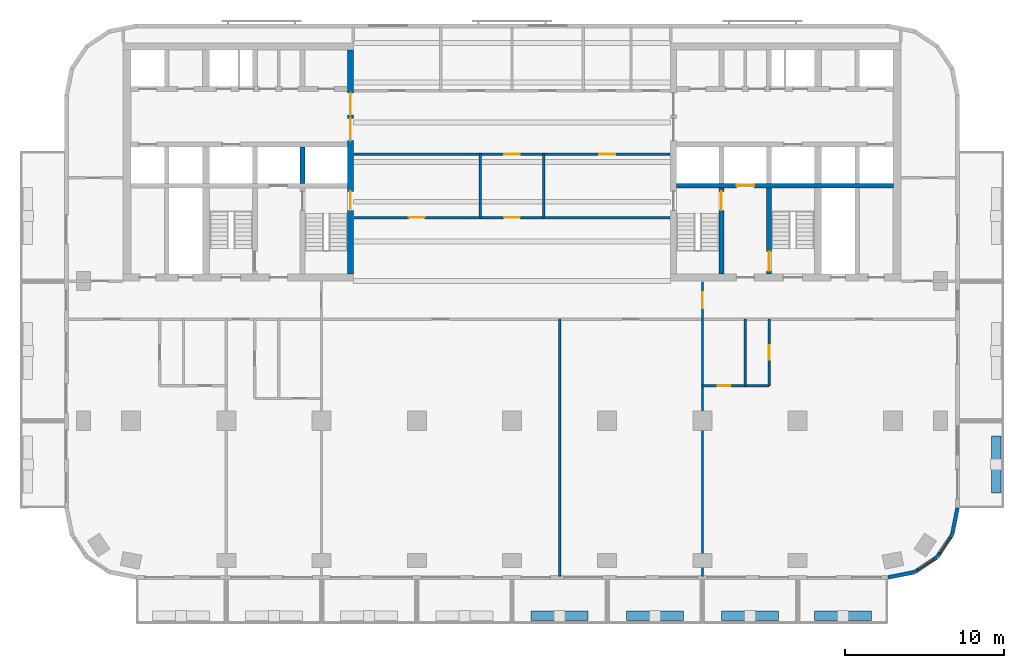
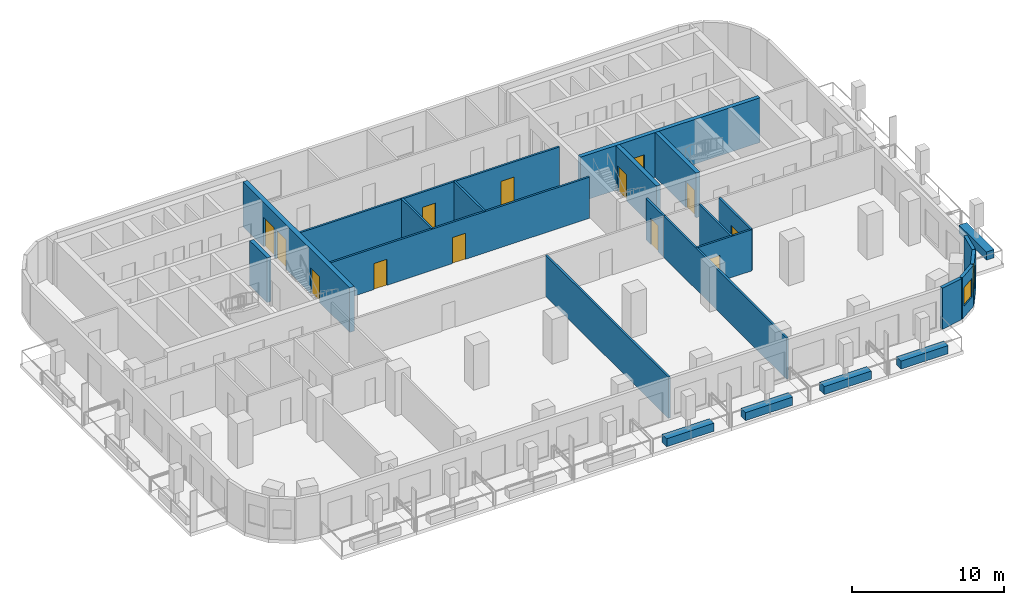
# One storey, part 4 of 11: 24 walls, 13 doors, 2 windows, 15 openings.
"""IFC4 building model written with IfcOpenShell, lengths in metres."""

from ifc_helpers import new_model, si_unit, direction, frame, frame_2d, origin, place, context, subcontext, project, spatial, rectangle, extrude, material, layer, layer_set, type_object, element, fill, save


model = new_model("IFC4")

# Units and contexts
model_context = context("Model", 3, precision=1e-05, world=origin(), true_north=direction((0.0, 1.0)))
body_context = subcontext(model_context, "Body", "Model", "MODEL_VIEW")
ifc_project = project(units=[si_unit("LENGTHUNIT", "METRE"), si_unit("AREAUNIT", "SQUARE_METRE"), si_unit("VOLUMEUNIT", "CUBIC_METRE"), si_unit("PLANEANGLEUNIT", "RADIAN"), si_unit("MASSUNIT", "GRAM", prefix="KILO")], contexts=[model_context])

# Site, building, storey
site_placement = place(None, origin())
site = spatial("IfcSite", under=ifc_project, at=site_placement, CompositionType="ELEMENT")
building_placement = place(site_placement, origin())
building = spatial("IfcBuilding", under=site, at=building_placement, Name="Torana Hotel and Residences", CompositionType="ELEMENT")
storey_placement = place(building_placement, frame((0.0, 0.0, 170.39990234375)))
storey = spatial("IfcBuildingStorey", under=building, at=storey_placement, Name="L44", CompositionType="ELEMENT", Elevation=170.39990234375)

# Wall
ifc_material_1 = material(Name="Concrete C70/85", Category="concrete")
ifc_layer_1 = layer(ifc_material_1, 0.300048828125)
ifc_layer_set_1 = layer_set([ifc_layer_1], Name="CORE WALL 300 C70/85")
wall_type_1 = type_object("IfcWallType", Name="CORE WALL 300 C70/85", PredefinedType="SHEAR", material=ifc_layer_set_1)
wall_1_placement = place(storey_placement, frame((-13.199951171875, -8.85009765625, 0.0), z_axis=(0.0, 0.0, 1.0), x_axis=(0.0, 1.0, 0.0)))
element("IfcWall", 1, at=wall_1_placement, inside=storey, type_object=wall_type_1, Name="Core wall W x3.05-S", PredefinedType="SHEAR", context=body_context, shape_type="SweptSolid", body=[
    extrude(rectangle(XDim=2.300048828125, YDim=0.300048828125, at=frame_2d((1.14990234375, 0.0))), origin(), (0.0, 0.0, 1.0), 3.60009765625),
])

# Wall, opening, door
wall_2_placement = place(storey_placement, frame((10.35009765625, -9.0, 0.0), z_axis=(0.0, 0.0, 1.0), x_axis=(1.0, 0.0, 0.0)))
wall_2 = element("IfcWall", 2, at=wall_2_placement, inside=storey, type_object=wall_type_1, Name="Core wall E band", PredefinedType="SHEAR", context=body_context, shape_type="SweptSolid", body=[
    extrude(rectangle(XDim=13.699951171875, YDim=0.300048828125, at=frame_2d((6.85009765625, 0.0))), origin(), (0.0, 0.0, 1.0), 3.60009765625),
])
opening_1_placement = place(wall_2_placement, frame((3.800048828125, 0.0, 0.0)))
opening_1 = element("IfcOpeningElement", 3, at=opening_1_placement, cuts=wall_2, Name="Opening LD", PredefinedType="OPENING", context=body_context, shape_type="SweptSolid", body=[
    extrude(rectangle(XDim=1.10009765625, YDim=2.10009765625, at=frame_2d((0.550048828125, 1.050048828125))), frame((0.0, 0.159912109375, 0.0), z_axis=(0.0, -1.0, 0.0), x_axis=(1.0, 0.0, 0.0)), (0.0, 0.0, 1.0), 0.320068359375),
])
ifc_material_2 = material(Name="Stainless steel 316", Category="steel")
door_type_1 = type_object("IfcDoorType", Name="LIFT LANDING DOOR LD 1100x2100", OperationType="DOUBLE_DOOR_SLIDING", PredefinedType="USERDEFINED", material=ifc_material_2)
door_1_placement = place(opening_1_placement, origin())
door_1 = element("IfcDoor", 4, at=door_1_placement, inside=storey, type_object=door_type_1, Name="Lift landing door FF2 L44", ObjectType="LIFT LANDING DOOR", OperationType="DOUBLE_DOOR_SLIDING", OverallHeight=2.10009765625, OverallWidth=1.10009765625, PredefinedType="USERDEFINED", context=body_context, shape_type="SweptSolid", body=[
    extrude(rectangle(XDim=1.10009765625, YDim=2.10009765625, at=frame_2d((0.550048828125, 1.050048828125))), frame((0.0, 0.02490234375, 0.0), z_axis=(0.0, -1.0, 0.0), x_axis=(1.0, 0.0, 0.0)), (0.0, 0.0, 1.0), 0.050048828125),
])
fill(opening_1, door_1)

wall_3_placement = place(storey_placement, frame((13.199951171875, -14.550048828125, 0.0), z_axis=(0.0, 0.0, 1.0), x_axis=(0.0, 1.0, 0.0)))
wall_3 = element("IfcWall", 5, at=wall_3_placement, inside=storey, type_object=wall_type_1, Name="Core wall E x3.05-band", PredefinedType="SHEAR", context=body_context, shape_type="SweptSolid", body=[
    extrude(rectangle(XDim=5.400146484375, YDim=0.300048828125, at=frame_2d((2.7001953125, 0.0))), origin(), (0.0, 0.0, 1.0), 3.60009765625),
])
opening_2_placement = place(wall_3_placement, frame((4.0, 0.0, 0.0)))
opening_2 = element("IfcOpeningElement", 6, at=opening_2_placement, cuts=wall_3, Name="Opening L44-29", PredefinedType="OPENING", context=body_context, shape_type="SweptSolid", body=[
    extrude(rectangle(XDim=1.199951171875, YDim=2.10009765625, at=frame_2d((0.60009765625, 1.050048828125))), frame((0.0, 0.159912109375, 0.0), z_axis=(0.0, -1.0, 0.0), x_axis=(1.0, 0.0, 0.0)), (0.0, 0.0, 1.0), 0.320068359375),
])
ifc_material_3 = material(Name="Steel S235", Category="steel")
door_type_2 = type_object("IfcDoorType", Name="STAIR FIRE DOOR D3 1200x2100", OperationType="SINGLE_SWING_LEFT", PredefinedType="DOOR", material=ifc_material_3)
door_2_placement = place(opening_2_placement, origin())
door_2 = element("IfcDoor", 7, at=door_2_placement, inside=storey, type_object=door_type_2, Name="Stair-A-lobby door L44", OperationType="SINGLE_SWING_LEFT", OverallHeight=2.10009765625, OverallWidth=1.199951171875, PredefinedType="DOOR", context=body_context, shape_type="SweptSolid", body=[
    extrude(rectangle(XDim=1.199951171875, YDim=2.10009765625, at=frame_2d((0.60009765625, 1.050048828125))), frame((0.0, 0.02490234375, 0.0), z_axis=(0.0, -1.0, 0.0), x_axis=(1.0, 0.0, 0.0)), (0.0, 0.0, 1.0), 0.050048828125),
])
fill(opening_2, door_2)

wall_4_placement = place(storey_placement, frame((16.199951171875, -14.550048828125, 0.0), z_axis=(0.0, 0.0, 1.0), x_axis=(0.0, 1.0, 0.0)))
wall_4 = element("IfcWall", 8, at=wall_4_placement, inside=storey, type_object=wall_type_1, Name="Core wall E x6.05-band", PredefinedType="SHEAR", context=body_context, shape_type="SweptSolid", body=[
    extrude(rectangle(XDim=5.400146484375, YDim=0.300048828125, at=frame_2d((2.7001953125, 0.0))), origin(), (0.0, 0.0, 1.0), 3.60009765625),
])
opening_3_placement = place(wall_4_placement, frame((0.199951171875, 0.0, 0.0)))
opening_3 = element("IfcOpeningElement", 9, at=opening_3_placement, cuts=wall_4, Name="Opening L44-30", PredefinedType="OPENING", context=body_context, shape_type="SweptSolid", body=[
    extrude(rectangle(XDim=1.199951171875, YDim=2.10009765625, at=frame_2d((0.60009765625, 1.050048828125))), frame((0.0, 0.159912109375, 0.0), z_axis=(0.0, -1.0, 0.0), x_axis=(1.0, 0.0, 0.0)), (0.0, 0.0, 1.0), 0.320068359375),
])
door_3_placement = place(opening_3_placement, frame((0.60009765625, 0.0, 0.0), z_axis=(0.0, 0.0, 1.0), x_axis=(-1.0, 0.0, 0.0)))
door_3 = element("IfcDoor", 10, at=door_3_placement, inside=storey, type_object=door_type_2, Name="Stair-B-lobby door L44", OperationType="SINGLE_SWING_LEFT", OverallHeight=2.10009765625, OverallWidth=1.199951171875, PredefinedType="DOOR", context=body_context, shape_type="SweptSolid", body=[
    extrude(rectangle(XDim=1.199951171875, YDim=2.10009765625, at=frame_2d((0.0, 1.050048828125))), frame((0.0, -0.02490234375, 0.0), z_axis=(0.0, 1.0, 0.0), x_axis=(-1.0, 0.0, 0.0)), (0.0, 0.0, 1.0), 0.050048828125),
])
fill(opening_3, door_3)

# Wall, openings, doors
ifc_material_4 = material(Name="Concrete C70/85", Category="concrete")
ifc_layer_2 = layer(ifc_material_4, 0.35009765625)
ifc_layer_set_2 = layer_set([ifc_layer_2], Name="CORE WALL 350 C70/85")
wall_type_2 = type_object("IfcWallType", Name="CORE WALL 350 C70/85", PredefinedType="SHEAR", material=ifc_layer_set_2)
wall_5_placement = place(storey_placement, frame((-10.175048828125, -14.550048828125, 0.0), z_axis=(0.0, 0.0, 1.0), x_axis=(0.0, 1.0, 0.0)))
wall_5 = element("IfcWall", 11, at=wall_5_placement, inside=storey, type_object=wall_type_2, Name="Core wall W arch", PredefinedType="SHEAR", context=body_context, shape_type="SweptSolid", body=[
    extrude(rectangle(XDim=14.10009765625, YDim=0.35009765625, at=frame_2d((7.050048828125, 0.0))), origin(), (0.0, 0.0, 1.0), 3.60009765625),
])
opening_4_placement = place(wall_5_placement, frame((8.39990234375, 0.0, 0.0)))
opening_4 = element("IfcOpeningElement", 12, at=opening_4_placement, cuts=wall_5, Name="Opening L44-01", PredefinedType="OPENING", context=body_context, shape_type="SweptSolid", body=[
    extrude(rectangle(XDim=1.39990234375, YDim=2.39990234375, at=frame_2d((0.699951171875, 1.199951171875))), frame((0.0, 0.18505859375, 0.0), z_axis=(0.0, -1.0, 0.0), x_axis=(1.0, 0.0, 0.0)), (0.0, 0.0, 1.0), 0.3701171875),
])
opening_5_placement = place(wall_5_placement, frame((10.0, 0.0, 0.0)))
opening_5 = element("IfcOpeningElement", 13, at=opening_5_placement, cuts=wall_5, Name="Opening L44-02", PredefinedType="OPENING", context=body_context, shape_type="SweptSolid", body=[
    extrude(rectangle(XDim=1.39990234375, YDim=2.39990234375, at=frame_2d((0.699951171875, 1.199951171875))), frame((0.0, 0.18505859375, 0.0), z_axis=(0.0, -1.0, 0.0), x_axis=(1.0, 0.0, 0.0)), (0.0, 0.0, 1.0), 0.3701171875),
])
opening_6_placement = place(wall_5_placement, frame((4.0, 0.0, 0.0)))
opening_6 = element("IfcOpeningElement", 14, at=opening_6_placement, cuts=wall_5, Name="Opening L44-03", PredefinedType="OPENING", context=body_context, shape_type="SweptSolid", body=[
    extrude(rectangle(XDim=1.199951171875, YDim=2.10009765625, at=frame_2d((0.60009765625, 1.050048828125))), frame((0.0, 0.18505859375, 0.0), z_axis=(0.0, -1.0, 0.0), x_axis=(1.0, 0.0, 0.0)), (0.0, 0.0, 1.0), 0.3701171875),
])
ifc_material_5 = material(Name="Steel S235", Category="steel")
door_type_3 = type_object("IfcDoorType", Name="LOBBY FIRE DOOR D4 1400x2400", OperationType="DOUBLE_DOOR_SINGLE_SWING", PredefinedType="DOOR", material=ifc_material_5)
door_4_placement = place(opening_4_placement, origin())
door_4 = element("IfcDoor", 15, at=door_4_placement, inside=storey, type_object=door_type_3, Name="Lobby-1 door L44", OperationType="DOUBLE_DOOR_SINGLE_SWING", OverallHeight=2.39990234375, OverallWidth=1.39990234375, PredefinedType="DOOR", context=body_context, shape_type="SweptSolid", body=[
    extrude(rectangle(XDim=1.39990234375, YDim=2.39990234375, at=frame_2d((0.699951171875, 1.199951171875))), frame((0.0, 0.02490234375, 0.0), z_axis=(0.0, -1.0, 0.0), x_axis=(1.0, 0.0, 0.0)), (0.0, 0.0, 1.0), 0.050048828125),
])
fill(opening_4, door_4)
door_5_placement = place(opening_5_placement, origin())
door_5 = element("IfcDoor", 16, at=door_5_placement, inside=storey, type_object=door_type_3, Name="Lobby-2 door L44", OperationType="DOUBLE_DOOR_SINGLE_SWING", OverallHeight=2.39990234375, OverallWidth=1.39990234375, PredefinedType="DOOR", context=body_context, shape_type="SweptSolid", body=[
    extrude(rectangle(XDim=1.39990234375, YDim=2.39990234375, at=frame_2d((0.699951171875, 1.199951171875))), frame((0.0, 0.02490234375, 0.0), z_axis=(0.0, -1.0, 0.0), x_axis=(1.0, 0.0, 0.0)), (0.0, 0.0, 1.0), 0.050048828125),
])
fill(opening_5, door_5)
door_6_placement = place(opening_6_placement, origin())
door_6 = element("IfcDoor", 17, at=door_6_placement, inside=storey, type_object=door_type_2, Name="Stair-A door L44", OperationType="SINGLE_SWING_LEFT", OverallHeight=2.10009765625, OverallWidth=1.199951171875, PredefinedType="DOOR", context=body_context, shape_type="SweptSolid", body=[
    extrude(rectangle(XDim=1.199951171875, YDim=2.10009765625, at=frame_2d((0.60009765625, 1.050048828125))), frame((0.0, 0.02490234375, 0.0), z_axis=(0.0, -1.0, 0.0), x_axis=(1.0, 0.0, 0.0)), (0.0, 0.0, 1.0), 0.050048828125),
])
fill(opening_6, door_6)

# Wall
ifc_material_6 = material(Name="Black aluminium composite panel", Category="aluminium")
ifc_layer_3 = layer(ifc_material_6, 0.00390625, Name="Cladding", Category="cladding")
ifc_material_7 = material(Name="Ventilated air cavity")
ifc_layer_4 = layer(ifc_material_7, 0.0400390625, Name="Ventilated cavity", Category="cavity")
ifc_material_8 = material(Name="Mineral wool insulation")
ifc_layer_5 = layer(ifc_material_8, 0.090087890625, Name="Insulation", Category="insulation")
ifc_material_9 = material(Name="Steel S280GD", Category="steel")
ifc_layer_6 = layer(ifc_material_9, 0.092041015625, Name="Steel stud frame", Category="structure")
ifc_material_10 = material(Name="Fire rated plasterboard")
ifc_layer_7 = layer(ifc_material_10, 0.011962890625, Name="Inner board", Category="finish")
ifc_layer_8 = layer(ifc_material_10, 0.011962890625, Name="Second board", Category="finish")
ifc_layer_set_3 = layer_set([ifc_layer_3, ifc_layer_4, ifc_layer_5, ifc_layer_6, ifc_layer_7, ifc_layer_8], Name="EW1 EXTERNAL WALL BLACK METAL CLAD 250")
wall_type_3 = type_object("IfcWallType", Name="EW1 EXTERNAL WALL BLACK METAL CLAD 250", PredefinedType="SOLIDWALL", material=ifc_layer_set_3)
wall_6_placement = place(storey_placement, frame((23.69970703125, -33.672607421875, 0.0), z_axis=(0.0, 0.0, 1.0), x_axis=(0.980775640221, 0.19513878023, 0.0)))
element("IfcWall", 18, at=wall_6_placement, inside=storey, type_object=wall_type_3, Name="External wall L44 e0.15", PredefinedType="SOLIDWALL", context=body_context, shape_type="SweptSolid", body=[
    extrude(rectangle(XDim=1.681396484375, YDim=0.25, at=frame_2d((0.8408203125, 0.0))), origin(), (0.0, 0.0, 1.0), 3.320068359375),
])

# Wall, opening, window
wall_7_placement = place(storey_placement, frame((25.39404296875, -33.325927734375, 0.0), z_axis=(0.0, 0.0, 1.0), x_axis=(0.831482937015, 0.55555029066, 0.0)))
wall_7 = element("IfcWall", 19, at=wall_7_placement, inside=storey, type_object=wall_type_3, Name="External wall L44 e0.16", PredefinedType="SOLIDWALL", context=body_context, shape_type="SweptSolid", body=[
    extrude(rectangle(XDim=1.65625, YDim=0.25, at=frame_2d((0.828125, 0.0))), origin(), (0.0, 0.0, 1.0), 3.320068359375),
])
opening_7_placement = place(wall_7_placement, frame((0.228271484375, 0.0, 0.89990234375)))
opening_7 = element("IfcOpeningElement", 20, at=opening_7_placement, cuts=wall_7, Name="Opening W5", PredefinedType="OPENING", context=body_context, shape_type="SweptSolid", body=[
    extrude(rectangle(XDim=1.199951171875, YDim=1.5, at=frame_2d((0.60009765625, 0.75))), frame((0.0, 0.135009765625, 0.0), z_axis=(0.0, -1.0, 0.0), x_axis=(1.0, 0.0, 0.0)), (0.0, 0.0, 1.0), 0.27001953125),
])
ifc_material_11 = material(Name="Dark glass in black aluminium frame", Category="aluminium")
window_type = type_object("IfcWindowType", Name="W5 CORNER FACET WINDOW 1200x1500", PartitioningType="SINGLE_PANEL", PredefinedType="WINDOW", material=ifc_material_11)
window_1_placement = place(opening_7_placement, origin())
window_1 = element("IfcWindow", 21, at=window_1_placement, inside=storey, type_object=window_type, Name="Window L44 e0.16", OverallHeight=1.5, OverallWidth=1.199951171875, PartitioningType="SINGLE_PANEL", PredefinedType="WINDOW", context=body_context, shape_type="SweptSolid", body=[
    extrude(rectangle(XDim=1.199951171875, YDim=1.5, at=frame_2d((0.60009765625, 0.75))), frame((0.0, 0.030029296875, 0.0), z_axis=(0.0, -1.0, 0.0), x_axis=(1.0, 0.0, 0.0)), (0.0, 0.0, 1.0), 0.06005859375),
])
fill(opening_7, window_1)

wall_8_placement = place(storey_placement, frame((26.8056640625, -32.37109375, 0.0), z_axis=(0.0, 0.0, 1.0), x_axis=(0.55555029066, 0.831482937015, 0.0)))
wall_8 = element("IfcWall", 22, at=wall_8_placement, inside=storey, type_object=wall_type_3, Name="External wall L44 e0.17", PredefinedType="SOLIDWALL", context=body_context, shape_type="SweptSolid", body=[
    extrude(rectangle(XDim=1.65625, YDim=0.25, at=frame_2d((0.828125, 0.0))), origin(), (0.0, 0.0, 1.0), 3.320068359375),
])
opening_8_placement = place(wall_8_placement, frame((0.228271484375, 0.0, 0.89990234375)))
opening_8 = element("IfcOpeningElement", 23, at=opening_8_placement, cuts=wall_8, Name="Opening W5", PredefinedType="OPENING", context=body_context, shape_type="SweptSolid", body=[
    extrude(rectangle(XDim=1.199951171875, YDim=1.5, at=frame_2d((0.60009765625, 0.75))), frame((0.0, 0.135009765625, 0.0), z_axis=(0.0, -1.0, 0.0), x_axis=(1.0, 0.0, 0.0)), (0.0, 0.0, 1.0), 0.27001953125),
])
window_2_placement = place(opening_8_placement, origin())
window_2 = element("IfcWindow", 24, at=window_2_placement, inside=storey, type_object=window_type, Name="Window L44 e0.17", OverallHeight=1.5, OverallWidth=1.199951171875, PartitioningType="SINGLE_PANEL", PredefinedType="WINDOW", context=body_context, shape_type="SweptSolid", body=[
    extrude(rectangle(XDim=1.199951171875, YDim=1.5, at=frame_2d((0.60009765625, 0.75))), frame((0.0, 0.030029296875, 0.0), z_axis=(0.0, -1.0, 0.0), x_axis=(1.0, 0.0, 0.0)), (0.0, 0.0, 1.0), 0.06005859375),
])
fill(opening_8, window_2)

# Wall
wall_9_placement = place(storey_placement, frame((27.74462890625, -30.948974609375, 0.0), z_axis=(0.0, 0.0, 1.0), x_axis=(0.194999110559, 0.980803419081, 0.0)))
element("IfcWall", 25, at=wall_9_placement, inside=storey, type_object=wall_type_3, Name="External wall L44 e0.18", PredefinedType="SOLIDWALL", context=body_context, shape_type="SweptSolid", body=[
    extrude(rectangle(XDim=1.681396484375, YDim=0.25, at=frame_2d((0.8408203125, 0.0))), origin(), (0.0, 0.0, 1.0), 3.320068359375),
])

# Wall, opening, door
ifc_material_12 = material(Name="Gypsum plaster")
ifc_layer_9 = layer(ifc_material_12, 0.014892578125, Name="Plaster", Category="finish")
ifc_material_13 = material(Name="Concrete blockwork", Category="masonry")
ifc_layer_10 = layer(ifc_material_13, 0.1201171875, Name="Blockwork", Category="structure")
ifc_layer_11 = layer(ifc_material_12, 0.014892578125, Name="Plaster", Category="finish")
ifc_layer_set_4 = layer_set([ifc_layer_9, ifc_layer_10, ifc_layer_11], Name="FIRE PARTITION 150 BLOCKWORK")
wall_type_4 = type_object("IfcWallType", Name="FIRE PARTITION 150 BLOCKWORK", PredefinedType="PARTITIONING", material=ifc_layer_set_4)
wall_10_placement = place(storey_placement, frame((12.0, -17.39990234375, 0.0), z_axis=(0.0, 0.0, 1.0), x_axis=(0.0, 1.0, 0.0)))
wall_10 = element("IfcWall", 26, at=wall_10_placement, inside=storey, type_object=wall_type_4, Name="Partition L44", PredefinedType="PARTITIONING", context=body_context, shape_type="SweptSolid", body=[
    extrude(rectangle(XDim=2.349853515625, YDim=0.14990234375, at=frame_2d((1.1748046875, 0.0))), origin(), (0.0, 0.0, 1.0), 3.320068359375),
])
opening_9_placement = place(wall_10_placement, frame((0.699951171875, 0.0, 0.0)))
opening_9 = element("IfcOpeningElement", 27, at=opening_9_placement, cuts=wall_10, Name="Opening L44-35", PredefinedType="OPENING", context=body_context, shape_type="SweptSolid", body=[
    extrude(rectangle(XDim=1.0, YDim=2.10009765625, at=frame_2d((0.5, 1.050048828125))), frame((0.0, 0.0849609375, 0.0), z_axis=(0.0, -1.0, 0.0), x_axis=(1.0, 0.0, 0.0)), (0.0, 0.0, 1.0), 0.169921875),
])
ifc_material_14 = material(Name="Steel S235", Category="steel")
door_type_4 = type_object("IfcDoorType", Name="ENTRY FIRE DOOR D6 1000x2100", OperationType="SINGLE_SWING_LEFT", PredefinedType="DOOR", material=ifc_material_14)
door_7_placement = place(opening_9_placement, origin())
door_7 = element("IfcDoor", 28, at=door_7_placement, inside=storey, type_object=door_type_4, Name="Door L44", OperationType="SINGLE_SWING_RIGHT", OverallHeight=2.10009765625, OverallWidth=1.0, PredefinedType="DOOR", context=body_context, shape_type="SweptSolid", body=[
    extrude(rectangle(XDim=1.0, YDim=2.10009765625, at=frame_2d((0.5, 1.050048828125))), frame((0.0, 0.02490234375, 0.0), z_axis=(0.0, -1.0, 0.0), x_axis=(1.0, 0.0, 0.0)), (0.0, 0.0, 1.0), 0.050048828125),
])
fill(opening_9, door_7)

# Walls
for number, where, z_axis, x_axis, name in (
    (29, (2.0, -11.0, 0.0), (0.0, 0.0, 1.0), (0.0, 1.0, 0.0), "Partition L44"),
    (30, (-2.0, -11.0, 0.0), (0.0, 0.0, 1.0), (0.0, 1.0, 0.0), "Partition L44"),
):
    element("IfcWall", number, at=place(storey_placement, frame(where, z_axis=z_axis, x_axis=x_axis)), inside=storey, type_object=wall_type_4, Name=name, PredefinedType="PARTITIONING", context=body_context, shape_type="SweptSolid", body=[
        extrude(rectangle(XDim=4.0, YDim=0.14990234375, at=frame_2d((2.0, 0.0))), origin(), (0.0, 0.0, 1.0), 3.320068359375),
    ])

# Wall, openings, doors
wall_11_placement = place(storey_placement, frame((-9.949951171875, -11.0, 0.0), z_axis=(0.0, 0.0, 1.0), x_axis=(1.0, 0.0, 0.0)))
wall_11 = element("IfcWall", 31, at=wall_11_placement, inside=storey, type_object=wall_type_4, Name="Partition L44", PredefinedType="PARTITIONING", context=body_context, shape_type="SweptSolid", body=[
    extrude(rectangle(XDim=19.89990234375, YDim=0.14990234375, at=frame_2d((9.949951171875, 0.0))), origin(), (0.0, 0.0, 1.0), 3.320068359375),
])
opening_10_placement = place(wall_11_placement, frame((9.449951171875, 0.0, 0.0)))
opening_10 = element("IfcOpeningElement", 32, at=opening_10_placement, cuts=wall_11, Name="Opening L44-38", PredefinedType="OPENING", context=body_context, shape_type="SweptSolid", body=[
    extrude(rectangle(XDim=1.0, YDim=2.10009765625, at=frame_2d((0.5, 1.050048828125))), frame((0.0, 0.0849609375, 0.0), z_axis=(0.0, -1.0, 0.0), x_axis=(1.0, 0.0, 0.0)), (0.0, 0.0, 1.0), 0.169921875),
])
opening_11_placement = place(wall_11_placement, frame((3.449951171875, 0.0, 0.0)))
opening_11 = element("IfcOpeningElement", 33, at=opening_11_placement, cuts=wall_11, Name="Opening L44-41", PredefinedType="OPENING", context=body_context, shape_type="SweptSolid", body=[
    extrude(rectangle(XDim=1.0, YDim=2.10009765625, at=frame_2d((0.5, 1.050048828125))), frame((0.0, 0.0849609375, 0.0), z_axis=(0.0, -1.0, 0.0), x_axis=(1.0, 0.0, 0.0)), (0.0, 0.0, 1.0), 0.169921875),
])
door_8_placement = place(opening_10_placement, origin())
door_8 = element("IfcDoor", 34, at=door_8_placement, inside=storey, type_object=door_type_4, Name="Door L44", OperationType="SINGLE_SWING_RIGHT", OverallHeight=2.10009765625, OverallWidth=1.0, PredefinedType="DOOR", context=body_context, shape_type="SweptSolid", body=[
    extrude(rectangle(XDim=1.0, YDim=2.10009765625, at=frame_2d((0.5, 1.050048828125))), frame((0.0, 0.02490234375, 0.0), z_axis=(0.0, -1.0, 0.0), x_axis=(1.0, 0.0, 0.0)), (0.0, 0.0, 1.0), 0.050048828125),
])
fill(opening_10, door_8)
door_9_placement = place(opening_11_placement, origin())
door_9 = element("IfcDoor", 35, at=door_9_placement, inside=storey, type_object=door_type_4, Name="Door L44", OperationType="SINGLE_SWING_RIGHT", OverallHeight=2.10009765625, OverallWidth=1.0, PredefinedType="DOOR", context=body_context, shape_type="SweptSolid", body=[
    extrude(rectangle(XDim=1.0, YDim=2.10009765625, at=frame_2d((0.5, 1.050048828125))), frame((0.0, 0.02490234375, 0.0), z_axis=(0.0, -1.0, 0.0), x_axis=(1.0, 0.0, 0.0)), (0.0, 0.0, 1.0), 0.050048828125),
])
fill(opening_11, door_9)

wall_12_placement = place(storey_placement, frame((-9.949951171875, -7.0, 0.0), z_axis=(0.0, 0.0, 1.0), x_axis=(1.0, 0.0, 0.0)))
wall_12 = element("IfcWall", 36, at=wall_12_placement, inside=storey, type_object=wall_type_4, Name="Partition L44", PredefinedType="PARTITIONING", context=body_context, shape_type="SweptSolid", body=[
    extrude(rectangle(XDim=19.89990234375, YDim=0.14990234375, at=frame_2d((9.949951171875, 0.0))), origin(), (0.0, 0.0, 1.0), 3.320068359375),
])
opening_12_placement = place(wall_12_placement, frame((9.449951171875, 0.0, 0.0)))
opening_12 = element("IfcOpeningElement", 37, at=opening_12_placement, cuts=wall_12, Name="Opening L44-42", PredefinedType="OPENING", context=body_context, shape_type="SweptSolid", body=[
    extrude(rectangle(XDim=1.0, YDim=2.10009765625, at=frame_2d((0.5, 1.050048828125))), frame((0.0, 0.0849609375, 0.0), z_axis=(0.0, -1.0, 0.0), x_axis=(1.0, 0.0, 0.0)), (0.0, 0.0, 1.0), 0.169921875),
])
opening_13_placement = place(wall_12_placement, frame((15.449951171875, 0.0, 0.0)))
opening_13 = element("IfcOpeningElement", 38, at=opening_13_placement, cuts=wall_12, Name="Opening L44-43", PredefinedType="OPENING", context=body_context, shape_type="SweptSolid", body=[
    extrude(rectangle(XDim=1.0, YDim=2.10009765625, at=frame_2d((0.5, 1.050048828125))), frame((0.0, 0.0849609375, 0.0), z_axis=(0.0, -1.0, 0.0), x_axis=(1.0, 0.0, 0.0)), (0.0, 0.0, 1.0), 0.169921875),
])
door_10_placement = place(opening_12_placement, origin())
door_10 = element("IfcDoor", 39, at=door_10_placement, inside=storey, type_object=door_type_4, Name="Door L44", OperationType="SINGLE_SWING_RIGHT", OverallHeight=2.10009765625, OverallWidth=1.0, PredefinedType="DOOR", context=body_context, shape_type="SweptSolid", body=[
    extrude(rectangle(XDim=1.0, YDim=2.10009765625, at=frame_2d((0.5, 1.050048828125))), frame((0.0, 0.02490234375, 0.0), z_axis=(0.0, -1.0, 0.0), x_axis=(1.0, 0.0, 0.0)), (0.0, 0.0, 1.0), 0.050048828125),
])
fill(opening_12, door_10)
door_11_placement = place(opening_13_placement, frame((0.5, 0.0, 0.0), z_axis=(0.0, 0.0, 1.0), x_axis=(-1.0, 0.0, 0.0)))
door_11 = element("IfcDoor", 40, at=door_11_placement, inside=storey, type_object=door_type_4, Name="Door L44", OperationType="SINGLE_SWING_LEFT", OverallHeight=2.10009765625, OverallWidth=1.0, PredefinedType="DOOR", context=body_context, shape_type="SweptSolid", body=[
    extrude(rectangle(XDim=1.0, YDim=2.10009765625, at=frame_2d((0.0, 1.050048828125))), frame((0.0, -0.02490234375, 0.0), z_axis=(0.0, 1.0, 0.0), x_axis=(-1.0, 0.0, 0.0)), (0.0, 0.0, 1.0), 0.050048828125),
])
fill(opening_13, door_11)

# Wall, opening, door
ifc_material_15 = material(Name="Gypsum plasterboard")
ifc_layer_12 = layer(ifc_material_15, 0.012451171875, Name="Plasterboard", Category="finish")
ifc_layer_13 = layer(ifc_material_15, 0.012451171875, Name="Plasterboard", Category="finish")
ifc_layer_14 = layer(ifc_material_9, 0.10009765625, Name="Steel studs with mineral wool", Category="insulation")
ifc_layer_15 = layer(ifc_material_15, 0.012451171875, Name="Plasterboard", Category="finish")
ifc_layer_16 = layer(ifc_material_15, 0.012451171875, Name="Plasterboard", Category="finish")
ifc_layer_set_5 = layer_set([ifc_layer_12, ifc_layer_13, ifc_layer_14, ifc_layer_15, ifc_layer_16], Name="PARTITION 150 PLASTERBOARD")
wall_type_5 = type_object("IfcWallType", Name="PARTITION 150 PLASTERBOARD", PredefinedType="PARTITIONING", material=ifc_layer_set_5)
wall_13_placement = place(storey_placement, frame((16.199951171875, -21.60009765625, 0.0), z_axis=(0.0, 0.0, 1.0), x_axis=(0.0, 1.0, 0.0)))
wall_13 = element("IfcWall", 41, at=wall_13_placement, inside=storey, type_object=wall_type_5, Name="Partition L44", PredefinedType="PARTITIONING", context=body_context, shape_type="SweptSolid", body=[
    extrude(rectangle(XDim=4.2001953125, YDim=0.14990234375, at=frame_2d((2.10009765625, 0.0))), origin(), (0.0, 0.0, 1.0), 3.320068359375),
])
opening_14_placement = place(wall_13_placement, frame((1.64990234375, 0.0, 0.0)))
opening_14 = element("IfcOpeningElement", 42, at=opening_14_placement, cuts=wall_13, Name="Opening L44-54", PredefinedType="OPENING", context=body_context, shape_type="SweptSolid", body=[
    extrude(rectangle(XDim=0.89990234375, YDim=2.10009765625, at=frame_2d((0.449951171875, 1.050048828125))), frame((0.0, 0.0849609375, 0.0), z_axis=(0.0, -1.0, 0.0), x_axis=(1.0, 0.0, 0.0)), (0.0, 0.0, 1.0), 0.169921875),
])
ifc_material_16 = material(Name="Timber door, oiled ash", Category="wood")
door_type_5 = type_object("IfcDoorType", Name="ROOM DOOR D7 900x2100", OperationType="SINGLE_SWING_LEFT", PredefinedType="DOOR", material=ifc_material_16)
door_12_placement = place(opening_14_placement, origin())
door_12 = element("IfcDoor", 43, at=door_12_placement, inside=storey, type_object=door_type_5, Name="Door L44", OperationType="SINGLE_SWING_RIGHT", OverallHeight=2.10009765625, OverallWidth=0.89990234375, PredefinedType="DOOR", context=body_context, shape_type="SweptSolid", body=[
    extrude(rectangle(XDim=0.89990234375, YDim=2.10009765625, at=frame_2d((0.449951171875, 1.050048828125))), frame((0.0, 0.02490234375, 0.0), z_axis=(0.0, -1.0, 0.0), x_axis=(1.0, 0.0, 0.0)), (0.0, 0.0, 1.0), 0.050048828125),
])
fill(opening_14, door_12)

# Walls
wall_14_placement = place(storey_placement, frame((14.699951171875, -21.60009765625, 0.0), z_axis=(0.0, 0.0, 1.0), x_axis=(0.0, 1.0, 0.0)))
element("IfcWall", 44, at=wall_14_placement, inside=storey, type_object=wall_type_5, Name="Partition L44", PredefinedType="PARTITIONING", context=body_context, shape_type="SweptSolid", body=[
    extrude(rectangle(XDim=4.2001953125, YDim=0.14990234375, at=frame_2d((2.10009765625, 0.0))), origin(), (0.0, 0.0, 1.0), 3.320068359375),
])
for number, where, z_axis, x_axis, name in (
    (45, (12.0, -33.6201171875, 0.0), (0.0, 0.0, 1.0), (0.0, 1.0, 0.0), "Partition L44"),
    (46, (3.0, -33.6201171875, 0.0), (0.0, 0.0, 1.0), (0.0, 1.0, 0.0), "Partition L44"),
):
    element("IfcWall", number, at=place(storey_placement, frame(where, z_axis=z_axis, x_axis=x_axis)), inside=storey, type_object=wall_type_5, Name=name, PredefinedType="PARTITIONING", context=body_context, shape_type="SweptSolid", body=[
        extrude(rectangle(XDim=16.22021484375, YDim=0.14990234375, at=frame_2d((8.110107421875, 0.0))), origin(), (0.0, 0.0, 1.0), 3.320068359375),
    ])

# Wall, opening, door
wall_15_placement = place(storey_placement, frame((12.0, -21.60009765625, 0.0), z_axis=(0.0, 0.0, 1.0), x_axis=(1.0, 0.0, 0.0)))
wall_15 = element("IfcWall", 47, at=wall_15_placement, inside=storey, type_object=wall_type_5, Name="Partition L44", PredefinedType="PARTITIONING", context=body_context, shape_type="SweptSolid", body=[
    extrude(rectangle(XDim=4.199951171875, YDim=0.14990234375, at=frame_2d((2.10009765625, 0.0))), origin(), (0.0, 0.0, 1.0), 3.320068359375),
])
opening_15_placement = place(wall_15_placement, frame((0.949951171875, 0.0, 0.0)))
opening_15 = element("IfcOpeningElement", 48, at=opening_15_placement, cuts=wall_15, Name="Opening L44-53", PredefinedType="OPENING", context=body_context, shape_type="SweptSolid", body=[
    extrude(rectangle(XDim=0.800048828125, YDim=2.10009765625, at=frame_2d((0.39990234375, 1.050048828125))), frame((0.0, 0.0849609375, 0.0), z_axis=(0.0, -1.0, 0.0), x_axis=(1.0, 0.0, 0.0)), (0.0, 0.0, 1.0), 0.169921875),
])
ifc_material_17 = material(Name="Timber door, painted", Category="wood")
door_type_6 = type_object("IfcDoorType", Name="BATH DOOR D13 800x2100", OperationType="SINGLE_SWING_LEFT", PredefinedType="DOOR", material=ifc_material_17)
door_13_placement = place(opening_15_placement, origin())
door_13 = element("IfcDoor", 49, at=door_13_placement, inside=storey, type_object=door_type_6, Name="Door L44", OperationType="SINGLE_SWING_RIGHT", OverallHeight=2.10009765625, OverallWidth=0.800048828125, PredefinedType="DOOR", context=body_context, shape_type="SweptSolid", body=[
    extrude(rectangle(XDim=0.800048828125, YDim=2.10009765625, at=frame_2d((0.39990234375, 1.050048828125))), frame((0.0, 0.02490234375, 0.0), z_axis=(0.0, -1.0, 0.0), x_axis=(1.0, 0.0, 0.0)), (0.0, 0.0, 1.0), 0.050048828125),
])
fill(opening_15, door_13)

# Walls
ifc_material_18 = material(Name="Concrete C40/50 precast", Category="concrete")
ifc_layer_17 = layer(ifc_material_18, 0.10009765625, Name="Planter shell", Category="structure")
ifc_material_19 = material(Name="Root resistant membrane")
ifc_layer_18 = layer(ifc_material_19, 0.00390625, Name="Waterproofing membrane", Category="membrane")
ifc_material_20 = material(Name="Drainage board with filter fleece")
ifc_layer_19 = layer(ifc_material_20, 0.02001953125, Name="Drainage board", Category="drainage")
ifc_material_21 = material(Name="Growing medium")
ifc_layer_20 = layer(ifc_material_21, 0.47607421875, Name="Planting substrate", Category="soil")
ifc_layer_set_6 = layer_set([ifc_layer_17, ifc_layer_18, ifc_layer_19, ifc_layer_20], Name="PL1 BALCONY PLANTER 600")
wall_type_6 = type_object("IfcWallType", Name="PL1 BALCONY PLANTER 600", PredefinedType="USERDEFINED", material=ifc_layer_set_6)
for number, where, z_axis, x_axis, name in (
    (50, (4.800048828125, -36.10009765625, 0.0), (0.0, 0.0, 1.0), (-1.0, 0.0, 0.0), "Planter 05"),
    (51, (10.800048828125, -36.10009765625, 0.0), (0.0, 0.0, 1.0), (-1.0, 0.0, 0.0), "Planter 06"),
    (52, (16.800048828125, -36.10009765625, 0.0), (0.0, 0.0, 1.0), (-1.0, 0.0, 0.0), "Planter 07"),
):
    element("IfcWall", number, at=place(storey_placement, frame(where, z_axis=z_axis, x_axis=x_axis)), inside=storey, type_object=wall_type_6, Name=name, ObjectType="PLANTER", PredefinedType="USERDEFINED", context=body_context, shape_type="SweptSolid", body=[
        extrude(rectangle(XDim=3.60009765625, YDim=0.60009765625, at=frame_2d((1.800048828125, 0.0))), origin(), (0.0, 0.0, 1.0), 0.650146484375),
    ])
wall_16_placement = place(storey_placement, frame((22.64990234375, -36.10009765625, 0.0), z_axis=(0.0, 0.0, 1.0), x_axis=(-1.0, 0.0, 0.0)))
element("IfcWall", 53, at=wall_16_placement, inside=storey, type_object=wall_type_6, Name="Planter 08", ObjectType="PLANTER", PredefinedType="USERDEFINED", context=body_context, shape_type="SweptSolid", body=[
    extrude(rectangle(XDim=3.599853515625, YDim=0.60009765625, at=frame_2d((1.7998046875, 0.0))), origin(), (0.0, 0.0, 1.0), 0.650146484375),
])
wall_17_placement = place(storey_placement, frame((30.5, -24.75, 0.0), z_axis=(0.0, 0.0, 1.0), x_axis=(0.0, -1.0, 0.0)))
element("IfcWall", 54, at=wall_17_placement, inside=storey, type_object=wall_type_6, Name="Planter 12", ObjectType="PLANTER", PredefinedType="USERDEFINED", context=body_context, shape_type="SweptSolid", body=[
    extrude(rectangle(XDim=3.60009765625, YDim=0.60009765625, at=frame_2d((1.800048828125, 0.0))), origin(), (0.0, 0.0, 1.0), 0.650146484375),
])

save(model, "model.ifc")
